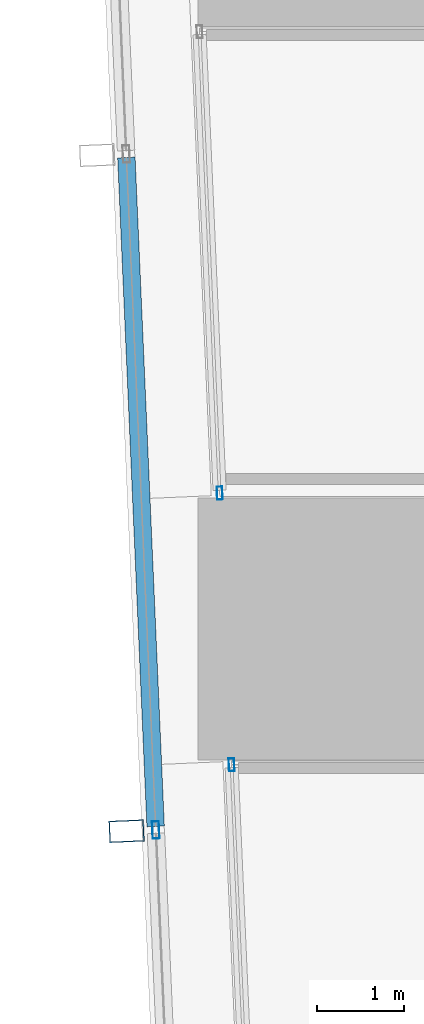
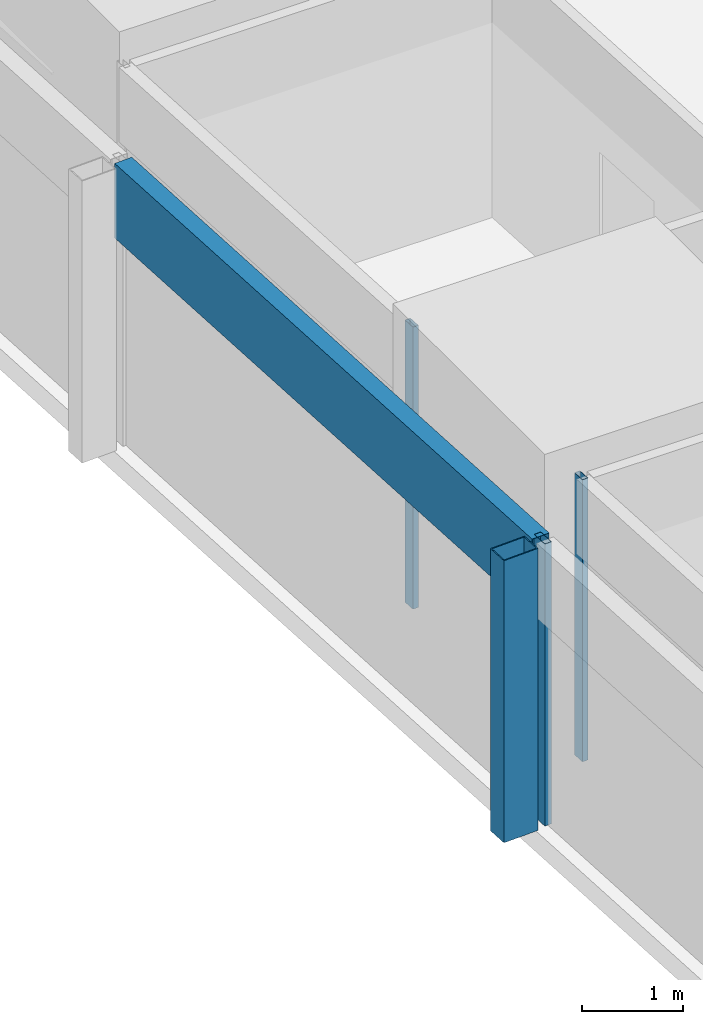
# One storey, part 4 of 44: 5 members, 3 elements without a shape of their own.
"""IFC4 building model written with IfcOpenShell, lengths in metres."""

from ifc_helpers import new_model, si_unit, direction, frame, origin, origin_2d, place, context, subcontext, project, spatial, hollow_rectangle, extrude, material, material_profile, profile_set, type_object, element, aggregate, save


model = new_model("IFC4")

# Units and contexts
model_context = context("Model", 3, precision=1e-05, world=origin(), true_north=direction((0.0, 1.0)))
body_context = subcontext(model_context, "Body", "Model", "MODEL_VIEW")
ifc_project = project(units=[si_unit("LENGTHUNIT", "METRE"), si_unit("AREAUNIT", "SQUARE_METRE"), si_unit("VOLUMEUNIT", "CUBIC_METRE"), si_unit("PLANEANGLEUNIT", "RADIAN"), si_unit("MASSUNIT", "GRAM", prefix="KILO")], contexts=[model_context])

# Site, building, storey
site_placement = place(None, origin())
site = spatial("IfcSite", under=ifc_project, at=site_placement, CompositionType="ELEMENT")
building_placement = place(site_placement, origin())
building = spatial("IfcBuilding", under=site, at=building_placement, Name="Rekha Terrace Tower", CompositionType="ELEMENT")
storey_placement = place(building_placement, frame((0.0, 0.0, 81.64990234375)))
storey = spatial("IfcBuildingStorey", under=building, at=storey_placement, Name="L20", CompositionType="ELEMENT", Elevation=81.64990234375)

# Curtain wall, member
ifc_material_1 = material(Name="Aluminium framing", Category="aluminium")
curtain_wall_type_1 = type_object("IfcCurtainWallType", Name="CW2 double skin outer glazing", PredefinedType="USERDEFINED", material=ifc_material_1)
curtain_wall_1_placement = place(storey_placement, origin())
curtain_wall_1 = element("IfcCurtainWall", 1, at=curtain_wall_1_placement, inside=storey, type_object=curtain_wall_type_1, Name="CW2 double skin outer glazing", ObjectType="DOUBLE SKIN OUTER GLAZING", PredefinedType="USERDEFINED")
ifc_material_2 = material(Name="Steel S355 with fluorocarbon finish", Category="steel")
ifc_material_profile_1 = material_profile(ifc_material_2, hollow_rectangle(XDim=0.25, YDim=0.39990234375, WallThickness=0.012451171875, at=origin_2d()), Name="RHS400x250x12.5")
ifc_profile_set_1 = profile_set([ifc_material_profile_1], Name="Steel S355 with fluorocarbon finish")
member_type_1 = type_object("IfcMemberType", Name="BL1 facade blade RHS 400 x 250", PredefinedType="USERDEFINED", material=ifc_profile_set_1)
member_1_placement = place(storey_placement, frame((6.080078125, 14.482421875, 0.0), z_axis=(0.0, 0.0, 1.0), x_axis=(0.04368215933, -0.999045478923, 0.0)))
member_1 = element("IfcMember", 2, at=member_1_placement, type_object=member_type_1, Name="Facade blade", ObjectType="FACADE BLADE", PredefinedType="USERDEFINED", context=body_context, shape_type="SweptSolid", body=[
    extrude(hollow_rectangle(XDim=0.25, YDim=0.39990234375, WallThickness=0.012451171875, at=origin_2d()), origin(), (0.0, 0.0, 1.0), 3.400146484375),
])

curtain_wall_type_2 = type_object("IfcCurtainWallType", Name="CW1 double skin inner glazing", PredefinedType="USERDEFINED", material=ifc_material_1)
curtain_wall_2_placement = place(storey_placement, origin())
curtain_wall_2 = element("IfcCurtainWall", 3, at=curtain_wall_2_placement, inside=storey, type_object=curtain_wall_type_2, Name="CW1 double skin inner glazing", ObjectType="DOUBLE SKIN INNER GLAZING", PredefinedType="USERDEFINED")
ifc_material_3 = material(Name="Aluminium mullion section", Category="aluminium")
ifc_material_profile_2 = material_profile(ifc_material_3, hollow_rectangle(XDim=0.06494140625, YDim=0.14990234375, WallThickness=0.00390625, at=origin_2d()), Name="AL RHS 65x150")
ifc_profile_set_2 = profile_set([ifc_material_profile_2], Name="Aluminium mullion section")
member_type_2 = type_object("IfcMemberType", Name="CW1 mullion RHS 65 x 150", PredefinedType="MULLION", material=ifc_profile_set_2)
member_2_placement = place(storey_placement, frame((7.14697265625, 18.356689453125, 0.0), z_axis=(0.0, 0.0, 1.0), x_axis=(0.999045462129, 0.043682543407, 0.0)))
member_2 = element("IfcMember", 4, at=member_2_placement, type_object=member_type_2, Name="CW1 mullion 2", PredefinedType="MULLION", context=body_context, shape_type="SweptSolid", body=[
    extrude(hollow_rectangle(XDim=0.06494140625, YDim=0.14990234375, WallThickness=0.00390625, at=origin_2d()), origin(), (0.0, 0.0, 1.0), 3.400146484375),
])
aggregate(curtain_wall_2, [member_2])

curtain_wall_3_placement = place(storey_placement, origin())
curtain_wall_3 = element("IfcCurtainWall", 5, at=curtain_wall_3_placement, inside=storey, type_object=curtain_wall_type_2, Name="CW1 double skin inner glazing", ObjectType="DOUBLE SKIN INNER GLAZING", PredefinedType="USERDEFINED")
member_3_placement = place(storey_placement, frame((7.283203125, 15.243408203125, 0.0), z_axis=(0.0, 0.0, 1.0), x_axis=(0.999045462129, 0.043682543407, 0.0)))
member_3 = element("IfcMember", 6, at=member_3_placement, type_object=member_type_2, Name="CW1 mullion 1", PredefinedType="MULLION", context=body_context, shape_type="SweptSolid", body=[
    extrude(hollow_rectangle(XDim=0.06494140625, YDim=0.14990234375, WallThickness=0.00390625, at=origin_2d()), origin(), (0.0, 0.0, 1.0), 3.400146484375),
])
aggregate(curtain_wall_3, [member_3])

# Member
ifc_material_profile_3 = material_profile(ifc_material_3, hollow_rectangle(XDim=0.080078125, YDim=0.199951171875, WallThickness=0.00390625, at=origin_2d()), Name="AL RHS 80x200")
ifc_profile_set_3 = profile_set([ifc_material_profile_3], Name="Aluminium mullion section")
member_type_3 = type_object("IfcMemberType", Name="CW2 mullion RHS 80 x 200", PredefinedType="MULLION", material=ifc_profile_set_3)
member_4_placement = place(storey_placement, frame((6.414794921875, 14.4970703125, 0.0), z_axis=(0.0, 0.0, 1.0), x_axis=(0.999045462131, 0.043682543372, 0.0)))
member_4 = element("IfcMember", 7, at=member_4_placement, type_object=member_type_3, Name="CW2 mullion 5", PredefinedType="MULLION", context=body_context, shape_type="SweptSolid", body=[
    extrude(hollow_rectangle(XDim=0.080078125, YDim=0.199951171875, WallThickness=0.00390625, at=origin_2d()), origin(), (0.0, 0.0, 1.0), 3.400146484375),
])

ifc_material_4 = material(Name="Insulated aluminium spandrel box", Category="aluminium")
ifc_material_profile_4 = material_profile(ifc_material_4, hollow_rectangle(XDim=0.199951171875, YDim=0.89990234375, WallThickness=0.0029296875, at=origin_2d()), Name="AL SPANDREL BOX 200x900")
ifc_profile_set_4 = profile_set([ifc_material_profile_4], Name="Insulated aluminium spandrel box")
member_type_4 = type_object("IfcMemberType", Name="CW2 spandrel transom 200 x 900", PredefinedType="USERDEFINED", material=ifc_profile_set_4)
member_5_placement = place(storey_placement, frame((6.077880859375, 22.201416015625, 2.9501953125), z_axis=(0.043694095051, -0.999044956975, 0.0), x_axis=(0.999044956975, 0.043694095051, 0.0)))
member_5 = element("IfcMember", 8, at=member_5_placement, type_object=member_type_4, Name="CW2 spandrel transom 4", ObjectType="TRANSOM", PredefinedType="USERDEFINED", context=body_context, shape_type="SweptSolid", body=[
    extrude(hollow_rectangle(XDim=0.199951171875, YDim=0.89990234375, WallThickness=0.0029296875, at=origin_2d()), origin(), (0.0, 0.0, 1.0), 7.671630859375),
])

aggregate(curtain_wall_1, [member_4, member_5, member_1])

save(model, "model.ifc")
